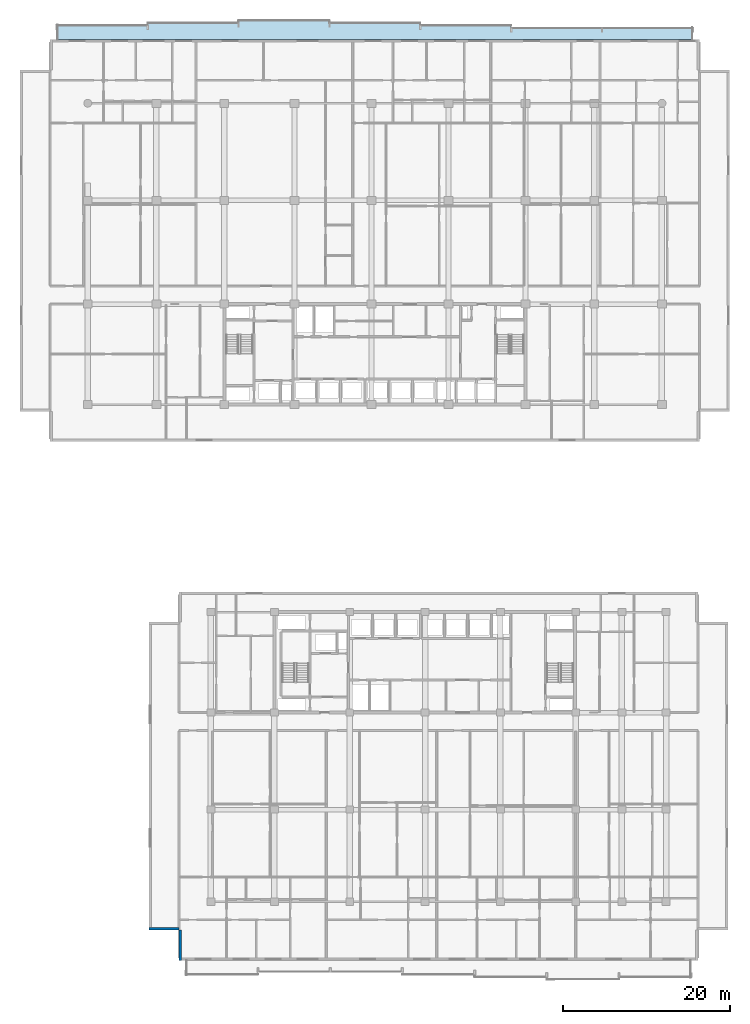
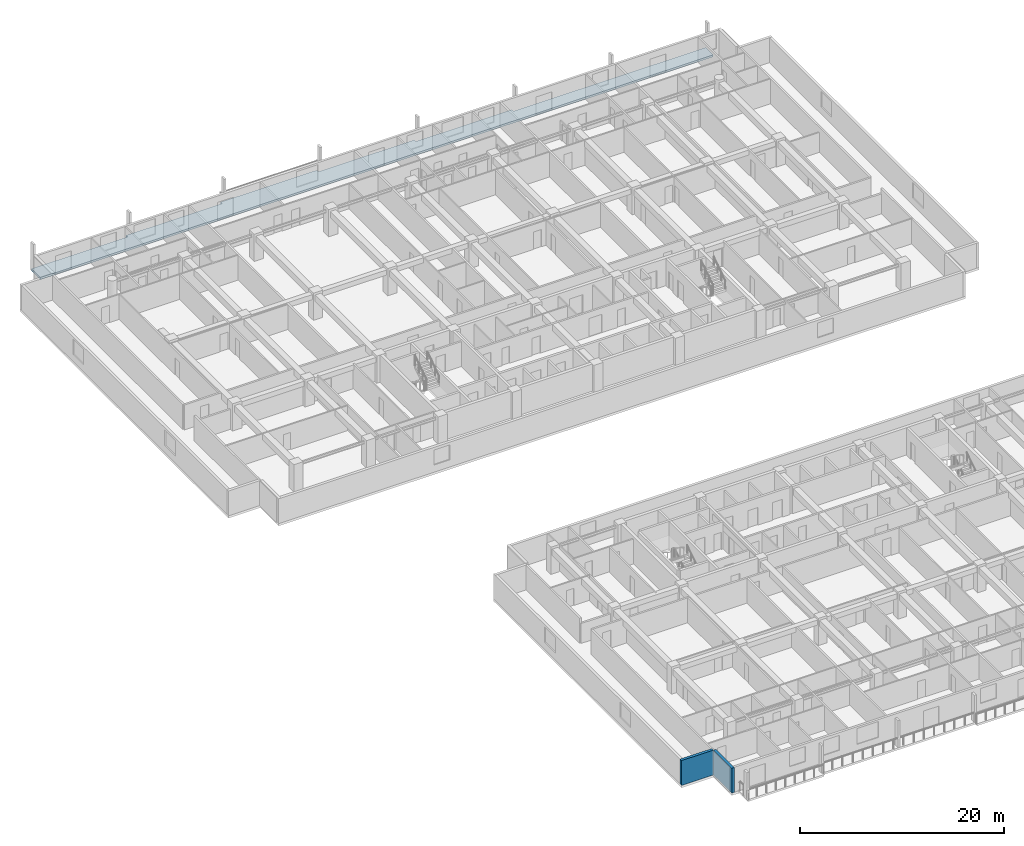
# One storey, part 3 of 23: 2 walls, 1 slab.
"""IFC4 building model written with IfcOpenShell, lengths in metres."""

from ifc_helpers import new_model, si_unit, direction, frame, frame_2d, origin, place, context, subcontext, project, spatial, polyline, rectangle, outline, extrude, material, layer, layer_set, type_object, element, save


model = new_model("IFC4")

# Units and contexts
model_context = context("Model", 3, precision=1e-05, world=origin(), true_north=direction((0.0, 1.0)))
body_context = subcontext(model_context, "Body", "Model", "MODEL_VIEW")
ifc_project = project(units=[si_unit("LENGTHUNIT", "METRE"), si_unit("AREAUNIT", "SQUARE_METRE"), si_unit("VOLUMEUNIT", "CUBIC_METRE"), si_unit("PLANEANGLEUNIT", "RADIAN"), si_unit("MASSUNIT", "GRAM", prefix="KILO")], contexts=[model_context])

# Site, building, storey
site_placement = place(None, origin())
site = spatial("IfcSite", under=ifc_project, at=site_placement, CompositionType="ELEMENT")
building_placement = place(site_placement, origin())
building = spatial("IfcBuilding", under=site, at=building_placement, Name="Korimba Cascade Residences", CompositionType="ELEMENT")
storey_placement = place(building_placement, frame((0.0, 0.0, 72.75)))
storey = spatial("IfcBuildingStorey", under=building, at=storey_placement, Name="L20", CompositionType="ELEMENT", Elevation=72.75)

# Slab
ifc_material = material(Name="Precast concrete C40/50", Category="concrete")
ifc_layer_1 = layer(ifc_material, 0.239990234375)
ifc_layer_set_1 = layer_set([ifc_layer_1], Name="Precast concrete C40/50")
slab_type = type_object("IfcSlabType", Name="SLB-LOG-240", PredefinedType="FLOOR", material=ifc_layer_set_1)
slab_placement = place(storey_placement, frame((0.0, 0.0, -0.239990234375)))
element("IfcSlab", 1, at=slab_placement, inside=storey, type_object=slab_type, Name="L20 Tower 1 North Loggia Slab", PredefinedType="FLOOR", context=body_context, shape_type="SweptSolid", body=[
    extrude(outline(polyline([(56.10009765625, 98.800048828125), (132.10009765625, 98.800048828125), (132.10009765625, 100.25), (110.3857421875, 100.25), (110.3857421875, 100.550048828125), (99.528564453125, 100.550048828125), (99.528564453125, 100.85009765625), (88.67138671875, 100.85009765625), (88.67138671875, 101.14990234375), (77.814208984375, 101.14990234375), (77.814208984375, 100.85009765625), (66.95703125, 100.85009765625), (66.95703125, 100.550048828125), (56.10009765625, 100.550048828125), (56.10009765625, 98.800048828125)])), origin(), (0.0, 0.0, 1.0), 0.239990234375),
])

# Walls
ifc_layer_2 = layer(ifc_material, 0.300048828125)
ifc_layer_set_2 = layer_set([ifc_layer_2], Name="Precast concrete C40/50")
wall_type = type_object("IfcWallType", Name="EW-STONE-300", PredefinedType="STANDARD", material=ifc_layer_set_2)
for number, where, z_axis, x_axis, name in (
    (2, (67.10009765625, -7.449951171875, 0.0), (0.0, 0.0, 1.0), (1.0, 0.0, 0.0), "L20 T2 Perimeter Stone Wall E10"),
    (3, (70.85009765625, -7.60009765625, 0.0), (0.0, 0.0, 1.0), (0.0, -1.0, 0.0), "L20 T2 Perimeter Stone Wall E11"),
):
    element("IfcWall", number, at=place(storey_placement, frame(where, z_axis=z_axis, x_axis=x_axis)), inside=storey, type_object=wall_type, Name=name, PredefinedType="STANDARD", context=body_context, shape_type="SweptSolid", body=[
        extrude(rectangle(XDim=3.599853515625, YDim=0.300048828125, at=frame_2d((1.7998046875, 0.0))), origin(), (0.0, 0.0, 1.0), 2.969970703125),
    ])

save(model, "model.ifc")
